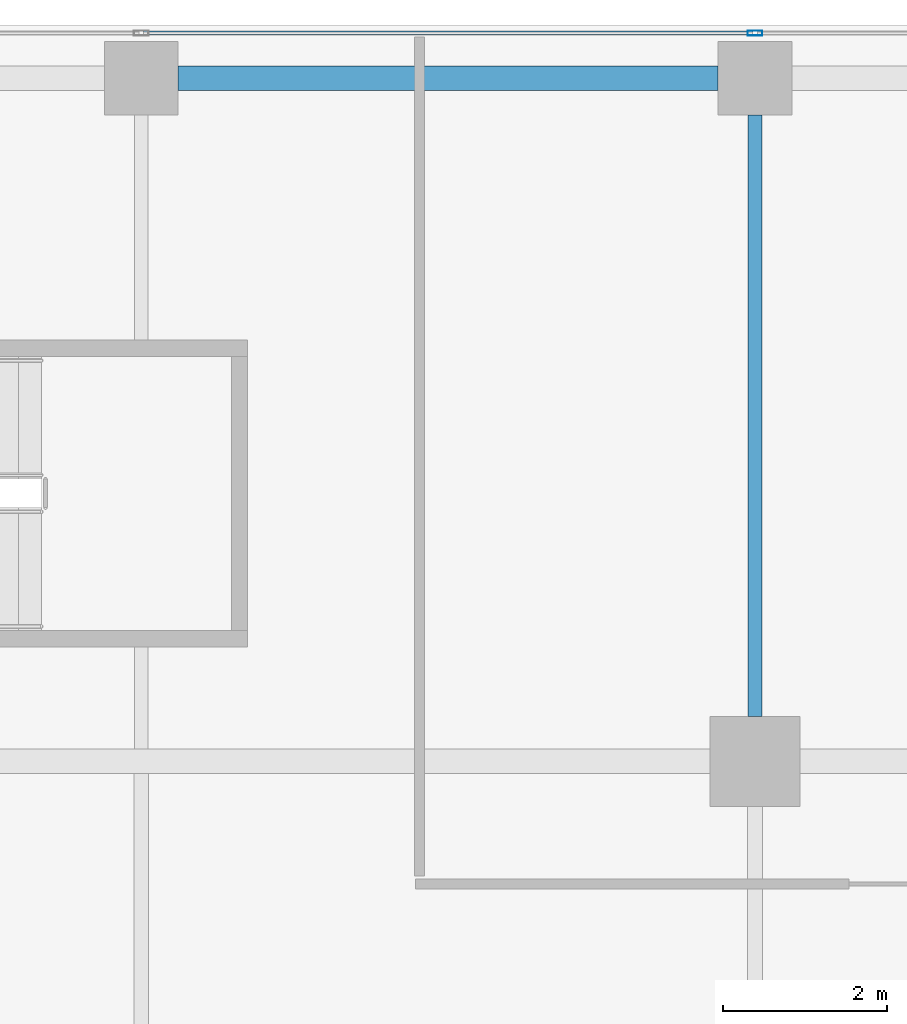
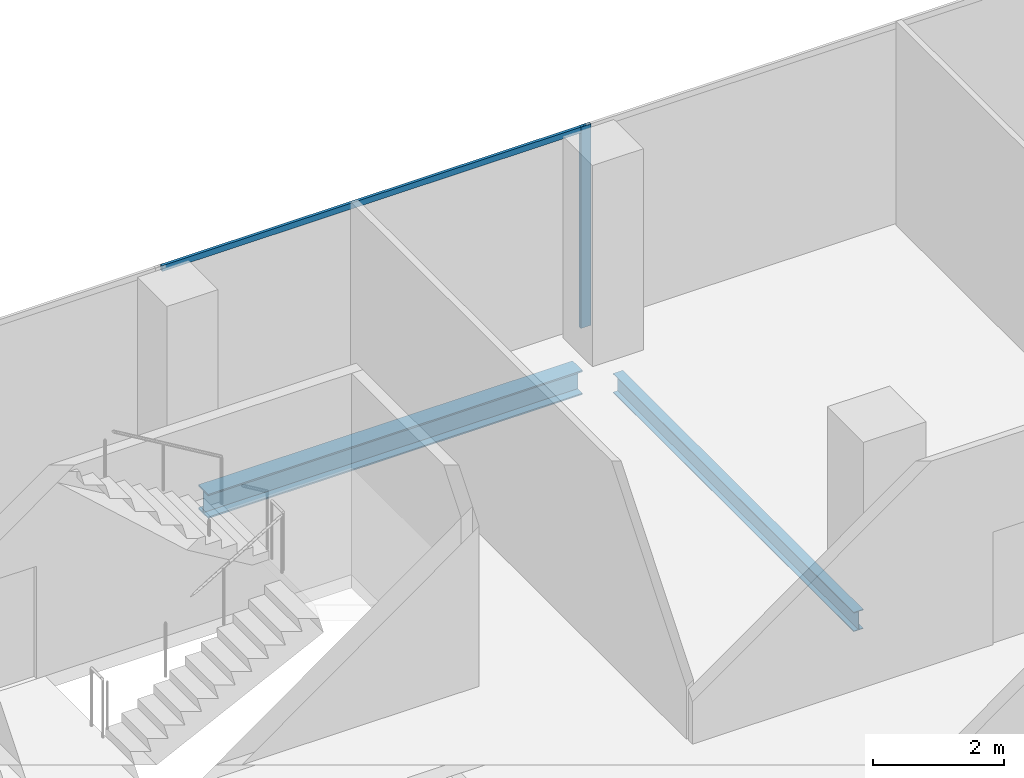
# One storey, part 20 of 35: 2 beams, 2 members, 1 element without a shape of its own.
"""IFC4 building model written with IfcOpenShell, lengths in metres."""

from ifc_helpers import new_model, si_unit, direction, frame, origin, origin_2d, place, context, subcontext, project, spatial, hollow_rectangle, i_section, extrude, source, transform, mapped, material, material_profile, profile_set, type_object, element, aggregate, save


model = new_model("IFC4")

# Units and contexts
model_context = context("Model", 3, precision=1e-05, world=origin(), true_north=direction((0.0, 1.0)))
body_context = subcontext(model_context, "Body", "Model", "MODEL_VIEW")
ifc_project = project(units=[si_unit("LENGTHUNIT", "METRE"), si_unit("AREAUNIT", "SQUARE_METRE"), si_unit("VOLUMEUNIT", "CUBIC_METRE"), si_unit("PLANEANGLEUNIT", "RADIAN"), si_unit("MASSUNIT", "GRAM", prefix="KILO")], contexts=[model_context])

# Site, building, storey
site_placement = place(None, origin())
site = spatial("IfcSite", under=ifc_project, at=site_placement, CompositionType="ELEMENT")
building_placement = place(site_placement, origin())
building = spatial("IfcBuilding", under=site, at=building_placement, Name="Khomas Fold Tower", CompositionType="ELEMENT")
storey_placement = place(building_placement, frame((0.0, 0.0, 262.199951171875)))
storey = spatial("IfcBuildingStorey", under=building, at=storey_placement, Name="L59", CompositionType="ELEMENT", Elevation=262.199951171875)

# Beams
ifc_material_1 = material(Name="Steel S355", Category="steel")
ifc_material_profile_1 = material_profile(ifc_material_1, i_section(OverallWidth=0.300048828125, OverallDepth=0.449951171875, WebThickness=0.013916015625, FlangeThickness=0.02587890625, at=origin_2d()), Name="HE 450 B")
ifc_profile_set_1 = profile_set([ifc_material_profile_1], Name="Steel S355")
beam_type_1 = type_object("IfcBeamType", Name="HE 450 B spandrel SB4", PredefinedType="SPANDREL", material=ifc_profile_set_1)
shared_shape_1 = source(origin(), body_context, "Body", "SweptSolid", [
    extrude(i_section(OverallWidth=0.300048828125, OverallDepth=0.449951171875, WebThickness=0.013916015625, FlangeThickness=0.02587890625, at=origin_2d()), origin(), (0.0, 0.0, 1.0), 6.60009765625),
])
beam_1_placement = place(storey_placement, frame((27.449951171875, 48.85009765625, -0.474853515625), z_axis=(1.0, 0.0, 0.0), x_axis=(0.0, 1.0, 0.0)))
element("IfcBeam", 1, at=beam_1_placement, inside=storey, type_object=beam_type_1, Name="SB4", PredefinedType="SPANDREL", context=body_context, shape_type="MappedRepresentation", body=[
    mapped(shared_shape_1, transform((0.0, 0.0, 0.0))),
])
ifc_material_2 = material(Name="Steel S355", Category="steel")
ifc_material_profile_2 = material_profile(ifc_material_2, i_section(OverallWidth=0.169921875, OverallDepth=0.360107421875, WebThickness=0.008056640625, FlangeThickness=0.0126953125, at=origin_2d()), Name="IPE 360")
ifc_profile_set_2 = profile_set([ifc_material_profile_2], Name="Steel S355")
beam_type_2 = type_object("IfcBeamType", Name="IPE 360 beam JB2", PredefinedType="BEAM", material=ifc_profile_set_2)
shared_shape_2 = source(origin(), body_context, "Body", "SweptSolid", [
    extrude(i_section(OverallWidth=0.169921875, OverallDepth=0.360107421875, WebThickness=0.008056640625, FlangeThickness=0.0126953125, at=origin_2d()), origin(), (0.0, 0.0, 1.0), 7.349853515625),
])
beam_2_placement = place(storey_placement, frame((34.5, 41.050048828125, -0.429931640625), z_axis=(0.0, 1.0, 0.0), x_axis=(-1.0, 0.0, 0.0)))
element("IfcBeam", 2, at=beam_2_placement, inside=storey, type_object=beam_type_2, Name="JB2", PredefinedType="BEAM", context=body_context, shape_type="MappedRepresentation", body=[
    mapped(shared_shape_2, transform((0.0, 0.0, 0.0))),
])

# Curtain wall, members
ifc_material_3 = material(Name="Aluminium framed double glazing", Category="aluminium")
curtain_wall_type = type_object("IfcCurtainWallType", Name="SK-Unitised clear-glass wall, office floors CW2", PredefinedType="NOTDEFINED", material=ifc_material_3)
curtain_wall_placement = place(storey_placement, origin())
curtain_wall = element("IfcCurtainWall", 3, at=curtain_wall_placement, inside=storey, type_object=curtain_wall_type, Name="CW2 run L59 06-0", PredefinedType="NOTDEFINED")
ifc_material_4 = material(Name="Aluminium", Category="aluminium")
ifc_material_profile_3 = material_profile(ifc_material_4, hollow_rectangle(XDim=0.06005859375, YDim=0.179931640625, WallThickness=0.00390625, at=origin_2d()), Name="SK-Unitised clear-glass wall, office floors mullion CW2-M")
ifc_profile_set_3 = profile_set([ifc_material_profile_3], Name="Aluminium")
member_type_1 = type_object("IfcMemberType", Name="SK-Unitised clear-glass wall, office floors mullion CW2-M", PredefinedType="MULLION", material=ifc_profile_set_3)
shared_shape_3 = source(origin(), body_context, "Body", "SweptSolid", [
    extrude(hollow_rectangle(XDim=0.06005859375, YDim=0.179931640625, WallThickness=0.00390625, at=origin_2d()), origin(), (0.0, 0.0, 1.0), 3.75),
])
member_1_placement = place(storey_placement, frame((34.5, 49.39990234375, 0.0), z_axis=(0.0, 0.0, 1.0), x_axis=(0.0, -1.0, 0.0)))
member_1 = element("IfcMember", 4, at=member_1_placement, type_object=member_type_1, Name="CW2 mullion 3", PredefinedType="MULLION", context=body_context, shape_type="MappedRepresentation", body=[
    mapped(shared_shape_3, transform((0.0, 0.0, 0.0))),
])
ifc_material_5 = material(Name="Aluminium", Category="aluminium")
ifc_material_profile_4 = material_profile(ifc_material_5, hollow_rectangle(XDim=0.050048828125, YDim=0.110107421875, WallThickness=0.00390625, at=origin_2d()), Name="SK-Unitised clear-glass wall, office floors transom CW2-T")
ifc_profile_set_4 = profile_set([ifc_material_profile_4], Name="Aluminium")
member_type_2 = type_object("IfcMemberType", Name="SK-Unitised clear-glass wall, office floors transom CW2-T", PredefinedType="USERDEFINED", material=ifc_profile_set_4)
shared_shape_4 = source(origin(), body_context, "Body", "SweptSolid", [
    extrude(hollow_rectangle(XDim=0.050048828125, YDim=0.110107421875, WallThickness=0.00390625, at=origin_2d()), origin(), (0.0, 0.0, 1.0), 7.43994140625),
])
member_2_placement = place(storey_placement, frame((34.469970703125, 49.39990234375, 3.695068359375), z_axis=(-1.0, 0.0, 0.0), x_axis=(0.0, -1.0, 0.0)))
member_2 = element("IfcMember", 5, at=member_2_placement, type_object=member_type_2, Name="CW2 transom 3", ObjectType="TRANSOM", PredefinedType="USERDEFINED", context=body_context, shape_type="MappedRepresentation", body=[
    mapped(shared_shape_4, transform((0.0, 0.0, 0.0))),
])
aggregate(curtain_wall, [member_1, member_2])

save(model, "model.ifc")
